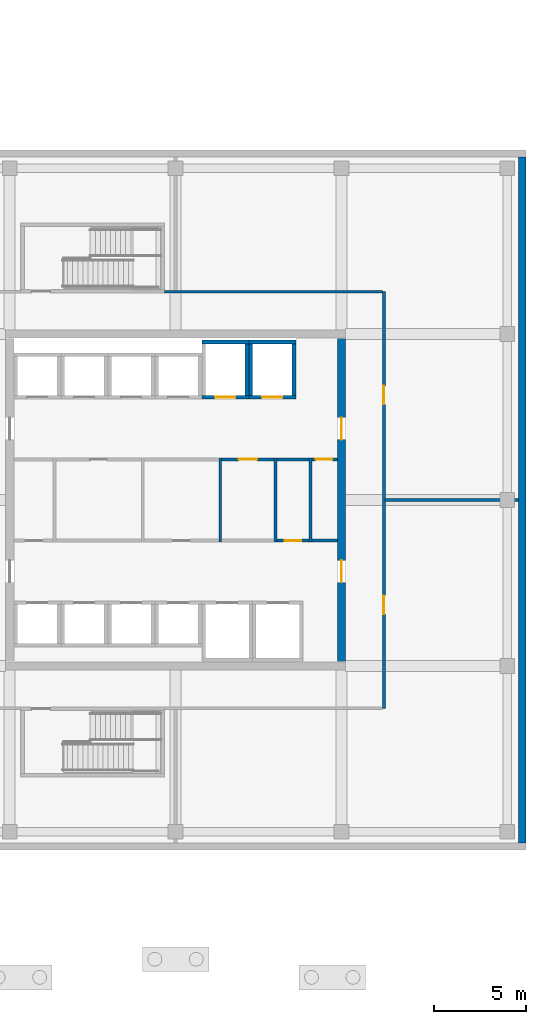
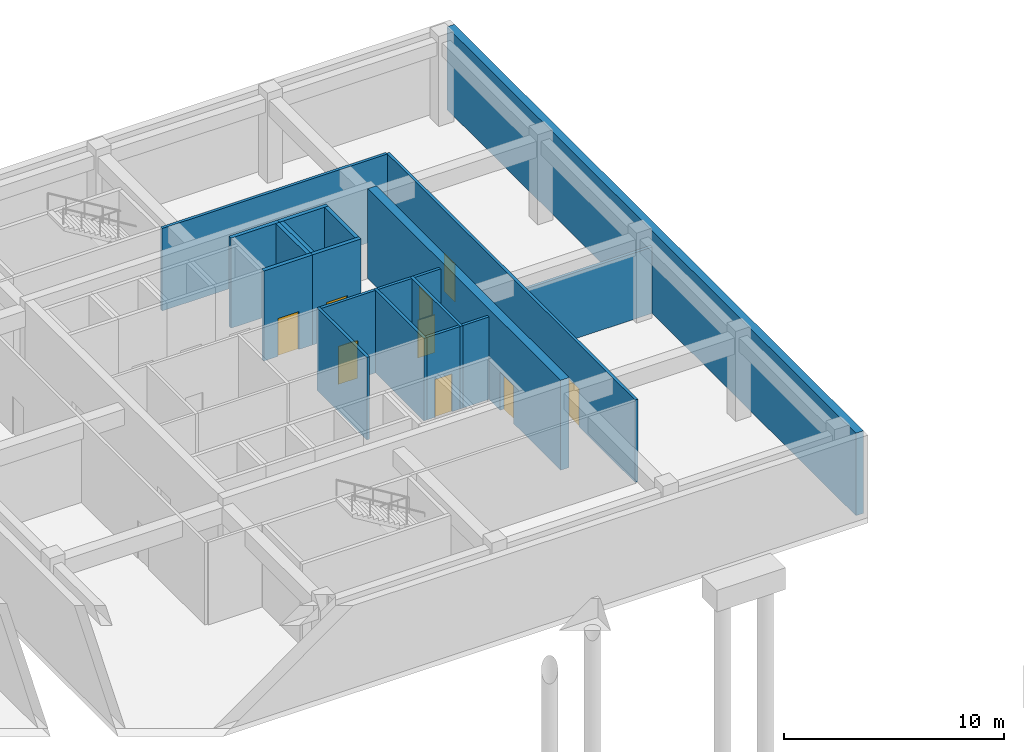
# One storey, part 10 of 15: 20 walls, 9 doors, 9 openings.
"""IFC4 building model written with IfcOpenShell, lengths in metres."""

from ifc_helpers import new_model, si_unit, direction, frame, frame_2d, origin, place, context, subcontext, project, spatial, rectangle, extrude, material, layer, layer_set, type_object, element, fill, save


model = new_model("IFC4")

# Units and contexts
model_context = context("Model", 3, precision=1e-05, world=origin(), true_north=direction((0.0, 1.0)))
body_context = subcontext(model_context, "Body", "Model", "MODEL_VIEW")
ifc_project = project(units=[si_unit("LENGTHUNIT", "METRE"), si_unit("AREAUNIT", "SQUARE_METRE"), si_unit("VOLUMEUNIT", "CUBIC_METRE"), si_unit("PLANEANGLEUNIT", "RADIAN"), si_unit("MASSUNIT", "GRAM", prefix="KILO")], contexts=[model_context])

# Site, building, storey
site_placement = place(None, origin())
site = spatial("IfcSite", under=ifc_project, at=site_placement, CompositionType="ELEMENT")
building_placement = place(site_placement, origin())
building = spatial("IfcBuilding", under=site, at=building_placement, Name="Tuart Plaza Theatre", CompositionType="ELEMENT")
storey_placement = place(building_placement, frame((0.0, 0.0, -5.0)))
storey = spatial("IfcBuildingStorey", under=building, at=storey_placement, Name="B1", CompositionType="ELEMENT", Elevation=-5.0)

# Walls
ifc_material_1 = material(Name="Masonry block", Category="masonry")
ifc_layer_1 = layer(ifc_material_1, 0.14990234375)
ifc_layer_set_1 = layer_set([ifc_layer_1], Name="PARTITION BLK150 MASONRYB FRL -/120/120")
wall_type_1 = type_object("IfcWallType", Name="PARTITION BLK150 MASONRYB FRL -/120/120", PredefinedType="PARTITIONING", material=ifc_layer_set_1)
for number, where, z_axis, x_axis, name in (
    (1, (134.425048828125, 71.72509765625, 0.0), (0.0, 0.0, 1.0), (0.0, 1.0, 0.0), "P541"),
    (2, (137.425048828125, 71.72509765625, 0.0), (0.0, 0.0, 1.0), (0.0, 1.0, 0.0), "P544"),
):
    element("IfcWall", number, at=place(storey_placement, frame(where, z_axis=z_axis, x_axis=x_axis)), inside=storey, type_object=wall_type_1, Name=name, PredefinedType="PARTITIONING", context=body_context, shape_type="SweptSolid", body=[
        extrude(rectangle(XDim=4.5498046875, YDim=0.14990234375, at=frame_2d((2.27490234375, 0.0))), origin(), (0.0, 0.0, 1.0), 4.580078125),
    ])

# Wall, opening, door
wall_1_placement = place(storey_placement, frame((134.5, 76.199951171875, 0.0), z_axis=(0.0, 0.0, 1.0), x_axis=(1.0, 0.0, 0.0)))
wall_1 = element("IfcWall", 3, at=wall_1_placement, inside=storey, type_object=wall_type_1, Name="P546", PredefinedType="PARTITIONING", context=body_context, shape_type="SweptSolid", body=[
    extrude(rectangle(XDim=2.85009765625, YDim=0.14990234375, at=frame_2d((1.425048828125, 0.0))), origin(), (0.0, 0.0, 1.0), 4.580078125),
])
opening_1_placement = place(wall_1_placement, frame((0.925048828125, 0.0, 0.0)))
opening_1 = element("IfcOpeningElement", 4, at=opening_1_placement, cuts=wall_1, Name="Opening B1-052", PredefinedType="OPENING", context=body_context, shape_type="SweptSolid", body=[
    extrude(rectangle(XDim=1.0, YDim=2.10009765625, at=frame_2d((0.5, 1.050048828125))), frame((0.0, 0.0849609375, 0.0), z_axis=(0.0, -1.0, 0.0), x_axis=(1.0, 0.0, 0.0)), (0.0, 0.0, 1.0), 0.169921875),
])
ifc_material_2 = material(Name="Steel Grade 300", Category="steel")
door_type_1 = type_object("IfcDoorType", Name="DOOR 1000x2100 steel single swing FRL -/120/30", OperationType="SINGLE_SWING_LEFT", PredefinedType="DOOR", material=ifc_material_2)
door_1_placement = place(opening_1_placement, frame((1.0, 0.0, 0.0), z_axis=(0.0, 0.0, 1.0), x_axis=(-1.0, 0.0, 0.0)))
door_1 = element("IfcDoor", 5, at=door_1_placement, inside=storey, type_object=door_type_1, Name="B1-052", OperationType="SINGLE_SWING_LEFT", OverallHeight=2.10009765625, OverallWidth=1.0, PredefinedType="DOOR", context=body_context, shape_type="SweptSolid", body=[
    extrude(rectangle(XDim=1.0, YDim=2.10009765625, at=frame_2d((0.5, 1.050048828125))), frame((0.0, 0.02490234375, 0.0), z_axis=(0.0, -1.0, 0.0), x_axis=(1.0, 0.0, 0.0)), (0.0, 0.0, 1.0), 0.050048828125),
])
fill(opening_1, door_1)

# Wall
wall_2_placement = place(storey_placement, frame((139.324951171875, 71.72509765625, 0.0), z_axis=(0.0, 0.0, 1.0), x_axis=(0.0, 1.0, 0.0)))
element("IfcWall", 6, at=wall_2_placement, inside=storey, type_object=wall_type_1, Name="P547", PredefinedType="PARTITIONING", context=body_context, shape_type="SweptSolid", body=[
    extrude(rectangle(XDim=4.5498046875, YDim=0.14990234375, at=frame_2d((2.27490234375, 0.0))), origin(), (0.0, 0.0, 1.0), 4.580078125),
])

# Wall, opening, door
wall_3_placement = place(storey_placement, frame((137.5, 71.800048828125, 0.0), z_axis=(0.0, 0.0, 1.0), x_axis=(1.0, 0.0, 0.0)))
wall_3 = element("IfcWall", 7, at=wall_3_placement, inside=storey, type_object=wall_type_1, Name="P548", PredefinedType="PARTITIONING", context=body_context, shape_type="SweptSolid", body=[
    extrude(rectangle(XDim=1.75, YDim=0.14990234375, at=frame_2d((0.875, 0.0))), origin(), (0.0, 0.0, 1.0), 4.580078125),
])
opening_2_placement = place(wall_3_placement, frame((0.425048828125, 0.0, 0.0)))
opening_2 = element("IfcOpeningElement", 8, at=opening_2_placement, cuts=wall_3, Name="Opening B1-053", PredefinedType="OPENING", context=body_context, shape_type="SweptSolid", body=[
    extrude(rectangle(XDim=0.89990234375, YDim=2.10009765625, at=frame_2d((0.449951171875, 1.050048828125))), frame((0.0, 0.0849609375, 0.0), z_axis=(0.0, -1.0, 0.0), x_axis=(1.0, 0.0, 0.0)), (0.0, 0.0, 1.0), 0.169921875),
])
ifc_material_3 = material(Name="Steel Grade 300", Category="steel")
door_type_2 = type_object("IfcDoorType", Name="DOOR 900x2100 steel single swing FRL -/120/30", OperationType="SINGLE_SWING_LEFT", PredefinedType="DOOR", material=ifc_material_3)
door_2_placement = place(opening_2_placement, origin())
door_2 = element("IfcDoor", 9, at=door_2_placement, inside=storey, type_object=door_type_2, Name="B1-053", OperationType="SINGLE_SWING_LEFT", OverallHeight=2.10009765625, OverallWidth=0.89990234375, PredefinedType="DOOR", context=body_context, shape_type="SweptSolid", body=[
    extrude(rectangle(XDim=0.89990234375, YDim=2.10009765625, at=frame_2d((0.449951171875, 1.050048828125))), frame((0.0, 0.02490234375, 0.0), z_axis=(0.0, -1.0, 0.0), x_axis=(1.0, 0.0, 0.0)), (0.0, 0.0, 1.0), 0.050048828125),
])
fill(opening_2, door_2)

# Walls
wall_4_placement = place(storey_placement, frame((137.5, 76.199951171875, 0.0), z_axis=(0.0, 0.0, 1.0), x_axis=(1.0, 0.0, 0.0)))
element("IfcWall", 10, at=wall_4_placement, inside=storey, type_object=wall_type_1, Name="P549", PredefinedType="PARTITIONING", context=body_context, shape_type="SweptSolid", body=[
    extrude(rectangle(XDim=1.75, YDim=0.14990234375, at=frame_2d((0.875, 0.0))), origin(), (0.0, 0.0, 1.0), 4.580078125),
])
wall_5_placement = place(storey_placement, frame((139.39990234375, 71.800048828125, 0.0), z_axis=(0.0, 0.0, 1.0), x_axis=(1.0, 0.0, 0.0)))
element("IfcWall", 11, at=wall_5_placement, inside=storey, type_object=wall_type_1, Name="P550", PredefinedType="PARTITIONING", context=body_context, shape_type="SweptSolid", body=[
    extrude(rectangle(XDim=1.375, YDim=0.14990234375, at=frame_2d((0.6875, 0.0))), origin(), (0.0, 0.0, 1.0), 4.580078125),
])

# Wall, opening, door
wall_6_placement = place(storey_placement, frame((139.39990234375, 76.199951171875, 0.0), z_axis=(0.0, 0.0, 1.0), x_axis=(1.0, 0.0, 0.0)))
wall_6 = element("IfcWall", 12, at=wall_6_placement, inside=storey, type_object=wall_type_1, Name="P551", PredefinedType="PARTITIONING", context=body_context, shape_type="SweptSolid", body=[
    extrude(rectangle(XDim=1.375, YDim=0.14990234375, at=frame_2d((0.6875, 0.0))), origin(), (0.0, 0.0, 1.0), 4.580078125),
])
opening_3_placement = place(wall_6_placement, frame((0.199951171875, 0.0, 0.0)))
opening_3 = element("IfcOpeningElement", 13, at=opening_3_placement, cuts=wall_6, Name="Opening B1-054", PredefinedType="OPENING", context=body_context, shape_type="SweptSolid", body=[
    extrude(rectangle(XDim=0.89990234375, YDim=2.10009765625, at=frame_2d((0.449951171875, 1.050048828125))), frame((0.0, 0.0849609375, 0.0), z_axis=(0.0, -1.0, 0.0), x_axis=(1.0, 0.0, 0.0)), (0.0, 0.0, 1.0), 0.169921875),
])
door_3_placement = place(opening_3_placement, frame((0.89990234375, 0.0, 0.0), z_axis=(0.0, 0.0, 1.0), x_axis=(-1.0, 0.0, 0.0)))
door_3 = element("IfcDoor", 14, at=door_3_placement, inside=storey, type_object=door_type_2, Name="B1-054", OperationType="SINGLE_SWING_LEFT", OverallHeight=2.10009765625, OverallWidth=0.89990234375, PredefinedType="DOOR", context=body_context, shape_type="SweptSolid", body=[
    extrude(rectangle(XDim=0.89990234375, YDim=2.10009765625, at=frame_2d((0.449951171875, 1.050048828125))), frame((0.0, 0.02490234375, 0.0), z_axis=(0.0, -1.0, 0.0), x_axis=(1.0, 0.0, 0.0)), (0.0, 0.0, 1.0), 0.050048828125),
])
fill(opening_3, door_3)

# Wall
ifc_material_4 = material(Name="Masonry block", Category="masonry")
ifc_layer_2 = layer(ifc_material_4, 0.14990234375)
ifc_layer_set_2 = layer_set([ifc_layer_2], Name="PARTITION BLK150 MASONRYB FRL 120/-/-")
wall_type_2 = type_object("IfcWallType", Name="PARTITION BLK150 MASONRYB FRL 120/-/-", PredefinedType="PARTITIONING", material=ifc_layer_set_2)
wall_7_placement = place(storey_placement, frame((131.39990234375, 85.300048828125, 0.0), z_axis=(0.0, 0.0, 1.0), x_axis=(1.0, 0.0, 0.0)))
element("IfcWall", 15, at=wall_7_placement, inside=storey, type_object=wall_type_2, Name="P556", PredefinedType="PARTITIONING", context=body_context, shape_type="SweptSolid", body=[
    extrude(rectangle(XDim=11.8251953125, YDim=0.14990234375, at=frame_2d((5.91259765625, 0.0))), origin(), (0.0, 0.0, 1.0), 4.580078125),
])

# Wall, openings, doors
wall_8_placement = place(storey_placement, frame((143.300048828125, 85.300048828125, 0.0), z_axis=(0.0, 0.0, 1.0), x_axis=(0.0, -1.0, 0.0)))
wall_8 = element("IfcWall", 16, at=wall_8_placement, inside=storey, type_object=wall_type_2, Name="P557", PredefinedType="PARTITIONING", context=body_context, shape_type="SweptSolid", body=[
    extrude(rectangle(XDim=22.60009765625, YDim=0.14990234375, at=frame_2d((11.300048828125, 0.0))), origin(), (0.0, 0.0, 1.0), 4.580078125),
])
opening_4_placement = place(wall_8_placement, frame((16.487548828125, 0.0, 0.0)))
opening_4 = element("IfcOpeningElement", 17, at=opening_4_placement, cuts=wall_8, Name="Opening B1-055", PredefinedType="OPENING", context=body_context, shape_type="SweptSolid", body=[
    extrude(rectangle(XDim=1.0, YDim=2.10009765625, at=frame_2d((0.5, 1.050048828125))), frame((0.0, 0.0849609375, 0.0), z_axis=(0.0, -1.0, 0.0), x_axis=(1.0, 0.0, 0.0)), (0.0, 0.0, 1.0), 0.169921875),
])
opening_5_placement = place(wall_8_placement, frame((5.112548828125, 0.0, 0.0)))
opening_5 = element("IfcOpeningElement", 18, at=opening_5_placement, cuts=wall_8, Name="Opening B1-058", PredefinedType="OPENING", context=body_context, shape_type="SweptSolid", body=[
    extrude(rectangle(XDim=1.0, YDim=2.10009765625, at=frame_2d((0.5, 1.050048828125))), frame((0.0, 0.0849609375, 0.0), z_axis=(0.0, -1.0, 0.0), x_axis=(1.0, 0.0, 0.0)), (0.0, 0.0, 1.0), 0.169921875),
])
ifc_material_5 = material(Name="Timber", Category="wood")
door_type_3 = type_object("IfcDoorType", Name="DOOR 1000x2100 timber single swing FRL -/60/30", OperationType="SINGLE_SWING_LEFT", PredefinedType="DOOR", material=ifc_material_5)
door_4_placement = place(opening_4_placement, origin())
door_4 = element("IfcDoor", 19, at=door_4_placement, inside=storey, type_object=door_type_3, Name="B1-055", OperationType="SINGLE_SWING_LEFT", OverallHeight=2.10009765625, OverallWidth=1.0, PredefinedType="DOOR", context=body_context, shape_type="SweptSolid", body=[
    extrude(rectangle(XDim=1.0, YDim=2.10009765625, at=frame_2d((0.5, 1.050048828125))), frame((0.0, 0.02490234375, 0.0), z_axis=(0.0, -1.0, 0.0), x_axis=(1.0, 0.0, 0.0)), (0.0, 0.0, 1.0), 0.050048828125),
])
fill(opening_4, door_4)
door_5_placement = place(opening_5_placement, origin())
door_5 = element("IfcDoor", 20, at=door_5_placement, inside=storey, type_object=door_type_3, Name="B1-058", OperationType="SINGLE_SWING_RIGHT", OverallHeight=2.10009765625, OverallWidth=1.0, PredefinedType="DOOR", context=body_context, shape_type="SweptSolid", body=[
    extrude(rectangle(XDim=1.0, YDim=2.10009765625, at=frame_2d((0.5, 1.050048828125))), frame((0.0, 0.02490234375, 0.0), z_axis=(0.0, -1.0, 0.0), x_axis=(1.0, 0.0, 0.0)), (0.0, 0.0, 1.0), 0.050048828125),
])
fill(opening_5, door_5)

# Wall
wall_9_placement = place(storey_placement, frame((143.3740234375, 74.0, 0.0), z_axis=(0.0, 0.0, 1.0), x_axis=(1.0, 0.0, 0.0)))
element("IfcWall", 21, at=wall_9_placement, inside=storey, type_object=wall_type_2, Name="P561", PredefinedType="PARTITIONING", context=body_context, shape_type="SweptSolid", body=[
    extrude(rectangle(XDim=7.22705078125, YDim=0.14990234375, at=frame_2d((3.613525390625, 0.0))), origin(), (0.0, 0.0, 1.0), 3.679931640625),
])

# Wall, opening, door
ifc_material_6 = material(Name="Concrete N40 (40 MPa)", Category="concrete")
ifc_layer_3 = layer(ifc_material_6, 0.199951171875)
ifc_layer_set_3 = layer_set([ifc_layer_3], Name="SHEAR WALL RC200 FRL 120/120/120")
wall_type_3 = type_object("IfcWallType", Name="SHEAR WALL RC200 FRL 120/120/120", PredefinedType="SHEAR", material=ifc_layer_set_3)
wall_10_placement = place(storey_placement, frame((133.425048828125, 79.574951171875, 0.0), z_axis=(0.0, 0.0, 1.0), x_axis=(1.0, 0.0, 0.0)))
wall_10 = element("IfcWall", 22, at=wall_10_placement, inside=storey, type_object=wall_type_3, Name="W1162", PredefinedType="SHEAR", context=body_context, shape_type="SweptSolid", body=[
    extrude(rectangle(XDim=2.550048828125, YDim=0.199951171875, at=frame_2d((1.27490234375, 0.0))), origin(), (0.0, 0.0, 1.0), 5.0),
])
opening_6_placement = place(wall_10_placement, frame((0.72509765625, 0.0, 0.0)))
opening_6 = element("IfcOpeningElement", 23, at=opening_6_placement, cuts=wall_10, Name="Opening B1-041", PredefinedType="OPENING", context=body_context, shape_type="SweptSolid", body=[
    extrude(rectangle(XDim=1.10009765625, YDim=2.10009765625, at=frame_2d((0.550048828125, 1.050048828125))), frame((0.0, 0.10986328125, 0.0), z_axis=(0.0, -1.0, 0.0), x_axis=(1.0, 0.0, 0.0)), (0.0, 0.0, 1.0), 0.219970703125),
])
ifc_material_7 = material(Name="Steel Grade 300", Category="steel")
door_type_4 = type_object("IfcDoorType", Name="LANDING DOOR 1100x2100 steel sliding FRL -/120/30", OperationType="SLIDING_TO_LEFT", PredefinedType="DOOR", material=ifc_material_7)
door_6_placement = place(opening_6_placement, origin())
door_6 = element("IfcDoor", 24, at=door_6_placement, inside=storey, type_object=door_type_4, Name="B1-041", OperationType="SLIDING_TO_LEFT", OverallHeight=2.10009765625, OverallWidth=1.10009765625, PredefinedType="DOOR", context=body_context, shape_type="SweptSolid", body=[
    extrude(rectangle(XDim=1.10009765625, YDim=2.10009765625, at=frame_2d((0.550048828125, 1.050048828125))), frame((0.0, 0.02490234375, 0.0), z_axis=(0.0, -1.0, 0.0), x_axis=(1.0, 0.0, 0.0)), (0.0, 0.0, 1.0), 0.050048828125),
])
fill(opening_6, door_6)

# Walls
wall_11_placement = place(storey_placement, frame((135.875, 79.675048828125, 0.0), z_axis=(0.0, 0.0, 1.0), x_axis=(0.0, 1.0, 0.0)))
element("IfcWall", 25, at=wall_11_placement, inside=storey, type_object=wall_type_3, Name="W1163", PredefinedType="SHEAR", context=body_context, shape_type="SweptSolid", body=[
    extrude(rectangle(XDim=2.800048828125, YDim=0.199951171875, at=frame_2d((1.39990234375, 0.0))), origin(), (0.0, 0.0, 1.0), 5.0),
])
wall_12_placement = place(storey_placement, frame((135.97509765625, 82.574951171875, 0.0), z_axis=(0.0, 0.0, 1.0), x_axis=(-1.0, 0.0, 0.0)))
element("IfcWall", 26, at=wall_12_placement, inside=storey, type_object=wall_type_3, Name="W1164", PredefinedType="SHEAR", context=body_context, shape_type="SweptSolid", body=[
    extrude(rectangle(XDim=2.550048828125, YDim=0.199951171875, at=frame_2d((1.27490234375, 0.0))), origin(), (0.0, 0.0, 1.0), 5.0),
])

# Wall, opening, door
wall_13_placement = place(storey_placement, frame((135.97509765625, 79.574951171875, 0.0), z_axis=(0.0, 0.0, 1.0), x_axis=(1.0, 0.0, 0.0)))
wall_13 = element("IfcWall", 27, at=wall_13_placement, inside=storey, type_object=wall_type_3, Name="W1238", PredefinedType="SHEAR", context=body_context, shape_type="SweptSolid", body=[
    extrude(rectangle(XDim=2.5498046875, YDim=0.199951171875, at=frame_2d((1.27490234375, 0.0))), origin(), (0.0, 0.0, 1.0), 5.0),
])
opening_7_placement = place(wall_13_placement, frame((0.72509765625, 0.0, 0.0)))
opening_7 = element("IfcOpeningElement", 28, at=opening_7_placement, cuts=wall_13, Name="Opening B1-042", PredefinedType="OPENING", context=body_context, shape_type="SweptSolid", body=[
    extrude(rectangle(XDim=1.10009765625, YDim=2.10009765625, at=frame_2d((0.550048828125, 1.050048828125))), frame((0.0, 0.10986328125, 0.0), z_axis=(0.0, -1.0, 0.0), x_axis=(1.0, 0.0, 0.0)), (0.0, 0.0, 1.0), 0.219970703125),
])
door_7_placement = place(opening_7_placement, origin())
door_7 = element("IfcDoor", 29, at=door_7_placement, inside=storey, type_object=door_type_4, Name="B1-042", OperationType="SLIDING_TO_LEFT", OverallHeight=2.10009765625, OverallWidth=1.10009765625, PredefinedType="DOOR", context=body_context, shape_type="SweptSolid", body=[
    extrude(rectangle(XDim=1.10009765625, YDim=2.10009765625, at=frame_2d((0.550048828125, 1.050048828125))), frame((0.0, 0.02490234375, 0.0), z_axis=(0.0, -1.0, 0.0), x_axis=(1.0, 0.0, 0.0)), (0.0, 0.0, 1.0), 0.050048828125),
])
fill(opening_7, door_7)

# Walls
wall_14_placement = place(storey_placement, frame((138.425048828125, 79.675048828125, 0.0), z_axis=(0.0, 0.0, 1.0), x_axis=(0.0, 1.0, 0.0)))
element("IfcWall", 30, at=wall_14_placement, inside=storey, type_object=wall_type_3, Name="W1239", PredefinedType="SHEAR", context=body_context, shape_type="SweptSolid", body=[
    extrude(rectangle(XDim=2.800048828125, YDim=0.199951171875, at=frame_2d((1.39990234375, 0.0))), origin(), (0.0, 0.0, 1.0), 5.0),
])
wall_15_placement = place(storey_placement, frame((138.52490234375, 82.574951171875, 0.0), z_axis=(0.0, 0.0, 1.0), x_axis=(-1.0, 0.0, 0.0)))
element("IfcWall", 31, at=wall_15_placement, inside=storey, type_object=wall_type_3, Name="W1240", PredefinedType="SHEAR", context=body_context, shape_type="SweptSolid", body=[
    extrude(rectangle(XDim=2.5498046875, YDim=0.199951171875, at=frame_2d((1.27490234375, 0.0))), origin(), (0.0, 0.0, 1.0), 5.0),
])
wall_16_placement = place(storey_placement, frame((136.074951171875, 82.47509765625, 0.0), z_axis=(0.0, 0.0, 1.0), x_axis=(0.0, -1.0, 0.0)))
element("IfcWall", 32, at=wall_16_placement, inside=storey, type_object=wall_type_3, Name="W1241", PredefinedType="SHEAR", context=body_context, shape_type="SweptSolid", body=[
    extrude(rectangle(XDim=2.800048828125, YDim=0.199951171875, at=frame_2d((1.39990234375, 0.0))), origin(), (0.0, 0.0, 1.0), 5.0),
])

# Wall, openings, doors
ifc_material_8 = material(Name="Concrete N50 (50 MPa)", Category="concrete")
ifc_layer_4 = layer(ifc_material_8, 0.449951171875)
ifc_layer_set_4 = layer_set([ifc_layer_4], Name="SHEAR WALL RC450 N50 FRL 120/120/120")
wall_type_4 = type_object("IfcWallType", Name="SHEAR WALL RC450 N50 FRL 120/120/120", PredefinedType="SHEAR", material=ifc_layer_set_4)
wall_17_placement = place(storey_placement, frame((141.0, 65.22509765625, 0.0), z_axis=(0.0, 0.0, 1.0), x_axis=(0.0, 1.0, 0.0)))
wall_17 = element("IfcWall", 33, at=wall_17_placement, inside=storey, type_object=wall_type_4, Name="W348", PredefinedType="SHEAR", context=body_context, shape_type="SweptSolid", body=[
    extrude(rectangle(XDim=17.5498046875, YDim=0.449951171875, at=frame_2d((8.77490234375, 0.0))), origin(), (0.0, 0.0, 1.0), 5.0),
])
opening_8_placement = place(wall_17_placement, frame((4.300048828125, 0.0, 0.0)))
opening_8 = element("IfcOpeningElement", 34, at=opening_8_placement, cuts=wall_17, Name="Opening B1-046", PredefinedType="OPENING", context=body_context, shape_type="SweptSolid", body=[
    extrude(rectangle(XDim=1.199951171875, YDim=2.10009765625, at=frame_2d((0.60009765625, 1.050048828125))), frame((0.0, 0.23486328125, 0.0), z_axis=(0.0, -1.0, 0.0), x_axis=(1.0, 0.0, 0.0)), (0.0, 0.0, 1.0), 0.469970703125),
])
opening_9_placement = place(wall_17_placement, frame((12.050048828125, 0.0, 0.0)))
opening_9 = element("IfcOpeningElement", 35, at=opening_9_placement, cuts=wall_17, Name="Opening B1-048", PredefinedType="OPENING", context=body_context, shape_type="SweptSolid", body=[
    extrude(rectangle(XDim=1.199951171875, YDim=2.10009765625, at=frame_2d((0.60009765625, 1.050048828125))), frame((0.0, 0.23486328125, 0.0), z_axis=(0.0, -1.0, 0.0), x_axis=(1.0, 0.0, 0.0)), (0.0, 0.0, 1.0), 0.469970703125),
])
ifc_material_9 = material(Name="Steel Grade 300", Category="steel")
door_type_5 = type_object("IfcDoorType", Name="DOOR 1200x2100 steel single swing FRL -/120/30", OperationType="SINGLE_SWING_LEFT", PredefinedType="DOOR", material=ifc_material_9)
door_8_placement = place(opening_8_placement, origin())
door_8 = element("IfcDoor", 36, at=door_8_placement, inside=storey, type_object=door_type_5, Name="B1-046", OperationType="SINGLE_SWING_LEFT", OverallHeight=2.10009765625, OverallWidth=1.199951171875, PredefinedType="DOOR", context=body_context, shape_type="SweptSolid", body=[
    extrude(rectangle(XDim=1.199951171875, YDim=2.10009765625, at=frame_2d((0.60009765625, 1.050048828125))), frame((0.0, 0.02490234375, 0.0), z_axis=(0.0, -1.0, 0.0), x_axis=(1.0, 0.0, 0.0)), (0.0, 0.0, 1.0), 0.050048828125),
])
fill(opening_8, door_8)
door_9_placement = place(opening_9_placement, origin())
door_9 = element("IfcDoor", 37, at=door_9_placement, inside=storey, type_object=door_type_5, Name="B1-048", OperationType="SINGLE_SWING_RIGHT", OverallHeight=2.10009765625, OverallWidth=1.199951171875, PredefinedType="DOOR", context=body_context, shape_type="SweptSolid", body=[
    extrude(rectangle(XDim=1.199951171875, YDim=2.10009765625, at=frame_2d((0.60009765625, 1.050048828125))), frame((0.0, 0.02490234375, 0.0), z_axis=(0.0, -1.0, 0.0), x_axis=(1.0, 0.0, 0.0)), (0.0, 0.0, 1.0), 0.050048828125),
])
fill(opening_9, door_9)

# Wall
ifc_material_10 = material(Name="Concrete N40 (40 MPa)", Category="concrete")
ifc_layer_5 = layer(ifc_material_10, 0.39990234375)
ifc_layer_set_5 = layer_set([ifc_layer_5], Name="WALL RC400 LB FRL 120/120/120")
wall_type_5 = type_object("IfcWallType", Name="WALL RC400 LB FRL 120/120/120", PredefinedType="SOLIDWALL", material=ifc_layer_set_5)
wall_18_placement = place(storey_placement, frame((150.800048828125, 55.39990234375, 0.0), z_axis=(0.0, 0.0, 1.0), x_axis=(0.0, 1.0, 0.0)))
element("IfcWall", 38, at=wall_18_placement, inside=storey, type_object=wall_type_5, Name="W460", PredefinedType="SOLIDWALL", context=body_context, shape_type="SweptSolid", body=[
    extrude(rectangle(XDim=37.2001953125, YDim=0.39990234375, at=frame_2d((18.60009765625, 0.0))), origin(), (0.0, 0.0, 1.0), 4.580078125),
])

save(model, "model.ifc")
